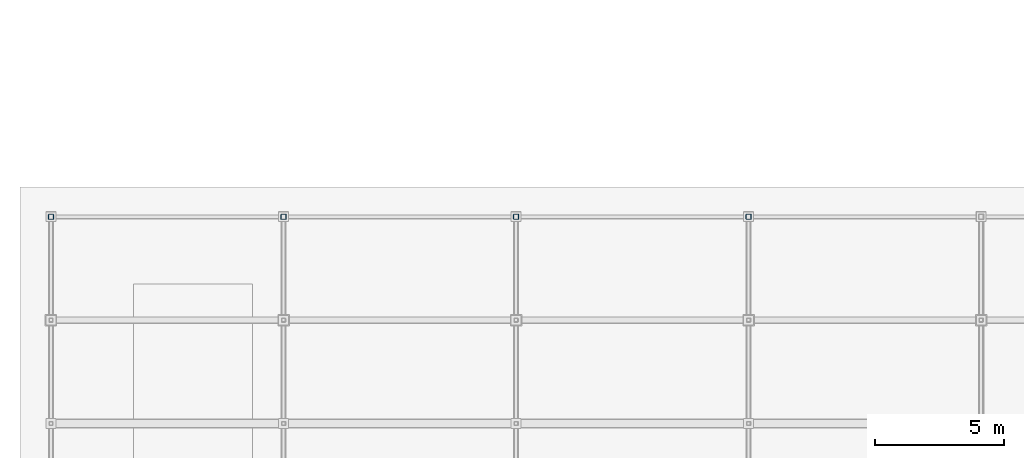
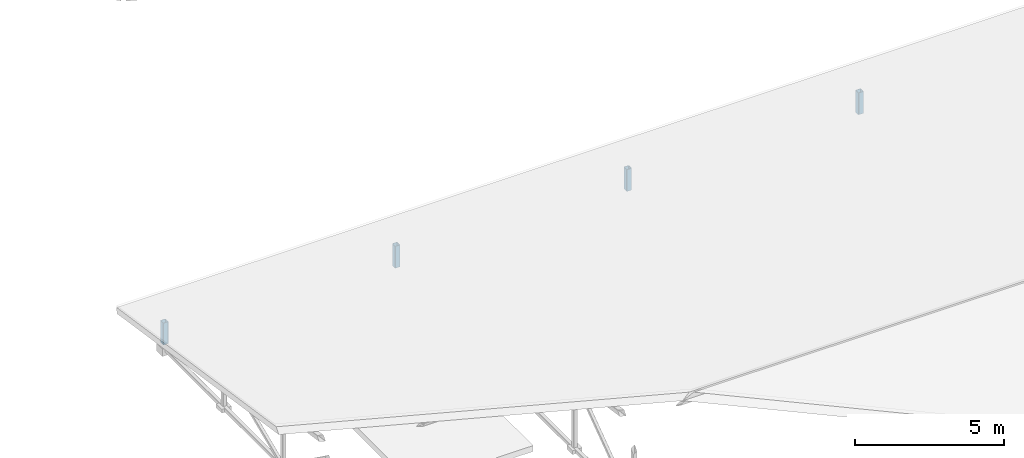
# One storey, part 73 of 118: 4 members.
"""IFC4 building model written with IfcOpenShell, lengths in metres."""

from ifc_helpers import new_model, si_unit, direction, frame, origin, origin_2d, place, context, subcontext, project, spatial, hollow_rectangle, extrude, material, material_profile, profile_set, type_object, element, save


model = new_model("IFC4")

# Units and contexts
model_context = context("Model", 3, precision=1e-05, world=origin(), true_north=direction((0.0, 1.0)))
body_context = subcontext(model_context, "Body", "Model", "MODEL_VIEW")
ifc_project = project(units=[si_unit("LENGTHUNIT", "METRE"), si_unit("AREAUNIT", "SQUARE_METRE"), si_unit("VOLUMEUNIT", "CUBIC_METRE"), si_unit("PLANEANGLEUNIT", "RADIAN"), si_unit("MASSUNIT", "GRAM", prefix="KILO"), si_unit("THERMODYNAMICTEMPERATUREUNIT", "KELVIN"), si_unit("POWERUNIT", "WATT")], contexts=[model_context])

# Site, building, storey
site_placement = place(None, origin())
site = spatial("IfcSite", under=ifc_project, at=site_placement, CompositionType="ELEMENT")
building_placement = place(site_placement, origin())
building = spatial("IfcBuilding", under=site, at=building_placement, Name="Zelmaris Science Centre", CompositionType="ELEMENT")
storey_placement = place(building_placement, frame((0.0, 0.0, 15.60009765625)))
storey = spatial("IfcBuildingStorey", under=building, at=storey_placement, Name="L03", CompositionType="ELEMENT", Elevation=15.60009765625)

# Members
ifc_material = material(Name="Steel ASTM A500 Grade C", Category="steel")
ifc_material_profile = material_profile(ifc_material, hollow_rectangle(XDim=0.203125, YDim=0.203125, WallThickness=0.01171875, InnerFilletRadius=0.01171875, OuterFilletRadius=0.023681640625, at=origin_2d()), Name="HSS203X203X13")
ifc_profile_set = profile_set([ifc_material_profile], Name="Steel ASTM A500 Grade C")
member_type = type_object("IfcMemberType", Name="Structural Brace BR-02 HSS203X203X13", PredefinedType="BRACE", material=ifc_profile_set)
for number, where, z_axis, x_axis, name in (
    (1, (9.0, 40.0, 0.099853515625), (0.0, 0.0, 1.0), (1.0, 0.0, 0.0), "RF-V3 Roof truss 1 end post VN"),
    (2, (18.0, 40.0, 0.099853515625), (0.0, 0.0, 1.0), (1.0, 0.0, 0.0), "RF-V3 Roof truss 2 end post VN"),
    (3, (27.0, 40.0, 0.099853515625), (0.0, 0.0, 1.0), (1.0, 0.0, 0.0), "RF-V3 Roof truss 3 end post VN"),
    (4, (36.0, 40.0, 0.099853515625), (0.0, 0.0, 1.0), (1.0, 0.0, 0.0), "RF-V3 Roof truss 4 end post VN"),
):
    element("IfcMember", number, at=place(storey_placement, frame(where, z_axis=z_axis, x_axis=x_axis)), inside=storey, type_object=member_type, Name=name, PredefinedType="BRACE", context=body_context, shape_type="SweptSolid", body=[
        extrude(hollow_rectangle(XDim=0.203125, YDim=0.203125, WallThickness=0.01171875, InnerFilletRadius=0.01171875, OuterFilletRadius=0.023681640625, at=origin_2d()), origin(), (0.0, 0.0, 1.0), 0.895751953125),
    ])

save(model, "model.ifc")
